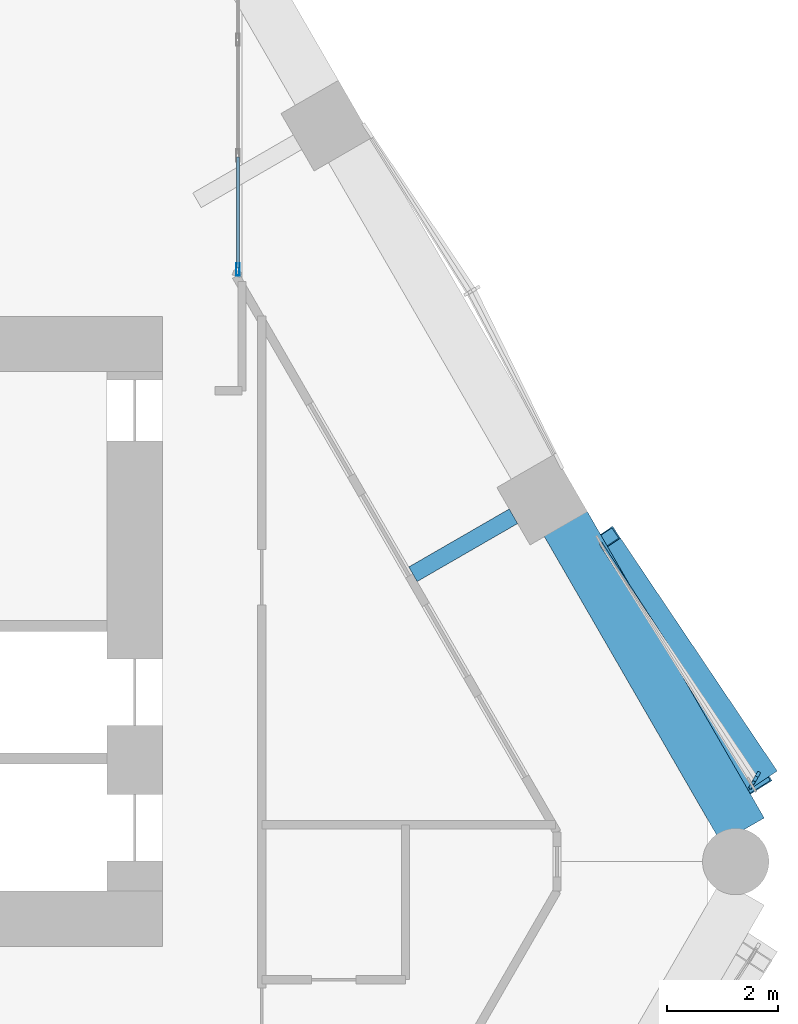
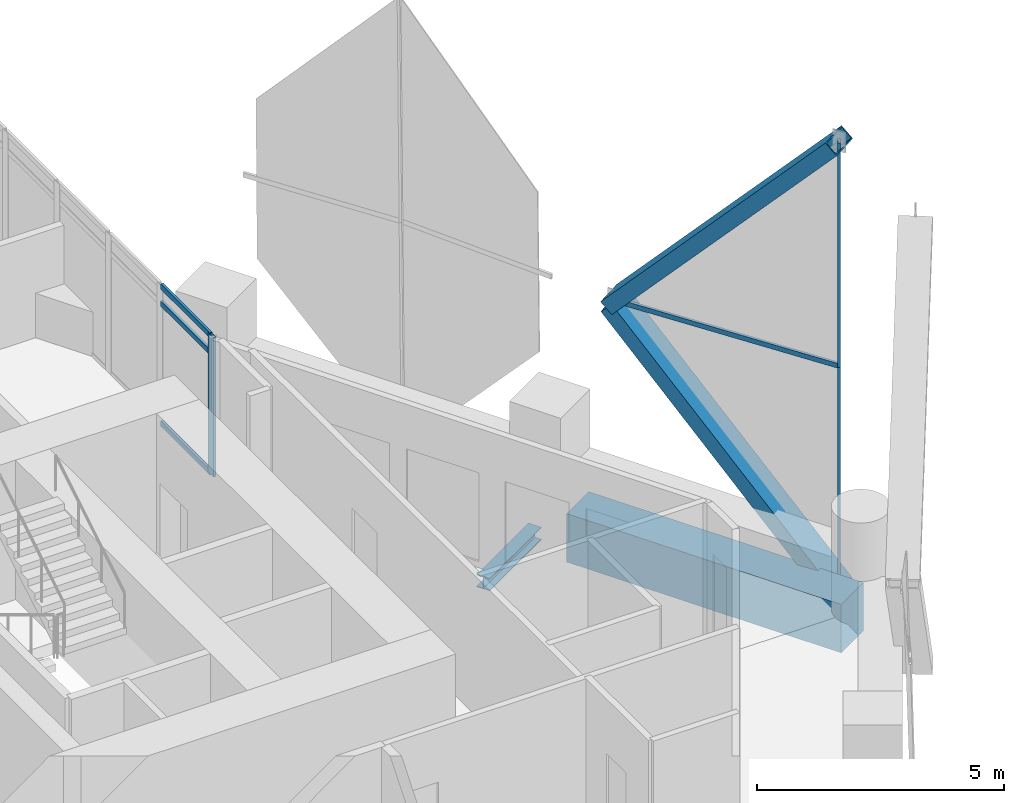
# One storey, part 23 of 38: 9 members, 2 beams, 3 elements without a shape of their own.
"""IFC4 building model written with IfcOpenShell, lengths in metres."""

from ifc_helpers import new_model, si_unit, direction, frame, origin, origin_2d, place, context, subcontext, project, spatial, rectangle, hollow_rectangle, i_section, extrude, material, material_profile, profile_set, type_object, element, aggregate, save


model = new_model("IFC4")

# Units and contexts
model_context = context("Model", 3, precision=1e-05, world=origin(), true_north=direction((0.0, 1.0)))
body_context = subcontext(model_context, "Body", "Model", "MODEL_VIEW")
ifc_project = project(units=[si_unit("LENGTHUNIT", "METRE"), si_unit("AREAUNIT", "SQUARE_METRE"), si_unit("VOLUMEUNIT", "CUBIC_METRE"), si_unit("PLANEANGLEUNIT", "RADIAN"), si_unit("MASSUNIT", "GRAM", prefix="KILO")], contexts=[model_context])

# Site, building, storey
site_placement = place(None, origin())
site = spatial("IfcSite", under=ifc_project, at=site_placement, CompositionType="ELEMENT")
building_placement = place(site_placement, origin())
building = spatial("IfcBuilding", under=site, at=building_placement, Name="Ostrander Bayou Hotel Tower", CompositionType="ELEMENT")
storey_placement = place(building_placement, frame((0.0, 0.0, 96.75)))
storey = spatial("IfcBuildingStorey", under=building, at=storey_placement, Name="L24", CompositionType="ELEMENT", Elevation=96.75)

# Curtain wall, members
ifc_material_1 = material(Name="Aluminium and clear glass", Category="aluminium")
curtain_wall_type_1 = type_object("IfcCurtainWallType", Name="CW-BAR glazed wall", PredefinedType="NOTDEFINED", material=ifc_material_1)
curtain_wall_1_placement = place(storey_placement, origin())
curtain_wall_1 = element("IfcCurtainWall", 1, at=curtain_wall_1_placement, inside=storey, type_object=curtain_wall_type_1, Name="CW-BAR L24:SB2N:W", PredefinedType="NOTDEFINED")
ifc_material_2 = material(Name="Aluminium", Category="aluminium")
ifc_material_profile_1 = material_profile(ifc_material_2, hollow_rectangle(XDim=0.06005859375, YDim=0.219970703125, WallThickness=0.00390625, at=origin_2d()))
ifc_profile_set_1 = profile_set([ifc_material_profile_1], Name="Aluminium")
member_type_1 = type_object("IfcMemberType", Name="CW-BR mullion 60 x 220 mm", PredefinedType="MULLION", material=ifc_profile_set_1)
member_1_placement = place(storey_placement, frame((13.3671875, 10.550048828125, 0.0), z_axis=(0.0, 0.0, 1.0), x_axis=(-1.0, 0.0, 0.0)))
member_1 = element("IfcMember", 2, at=member_1_placement, type_object=member_type_1, Name="CW-BAR mullion 1", PredefinedType="MULLION", context=body_context, shape_type="SweptSolid", body=[
    extrude(hollow_rectangle(XDim=0.06005859375, YDim=0.219970703125, WallThickness=0.00390625, at=origin_2d()), origin(), (0.0, 0.0, 1.0), 3.449951171875),
])
ifc_material_3 = material(Name="Aluminium", Category="aluminium")
ifc_material_profile_2 = material_profile(ifc_material_3, hollow_rectangle(XDim=0.06005859375, YDim=0.1298828125, WallThickness=0.00390625, at=origin_2d()))
ifc_profile_set_2 = profile_set([ifc_material_profile_2], Name="Aluminium")
member_type_2 = type_object("IfcMemberType", Name="CW-BR transom 60 x 130 mm", PredefinedType="USERDEFINED", material=ifc_profile_set_2)
member_2_placement = place(storey_placement, frame((13.3671875, 10.580078125, 0.030029296875), z_axis=(0.0, 1.0, 0.0), x_axis=(-1.0, 0.0, 0.0)))
member_2 = element("IfcMember", 3, at=member_2_placement, type_object=member_type_2, Name="CW-BAR transom 1.1", ObjectType="TRANSOM", PredefinedType="USERDEFINED", context=body_context, shape_type="SweptSolid", body=[
    extrude(hollow_rectangle(XDim=0.06005859375, YDim=0.1298828125, WallThickness=0.00390625, at=origin_2d()), origin(), (0.0, 0.0, 1.0), 2.00244140625),
])
member_3_placement = place(storey_placement, frame((13.3671875, 10.580078125, 3.0), z_axis=(0.0, 1.0, 0.0), x_axis=(-1.0, 0.0, 0.0)))
member_3 = element("IfcMember", 4, at=member_3_placement, type_object=member_type_2, Name="CW-BAR transom 1.2", ObjectType="TRANSOM", PredefinedType="USERDEFINED", context=body_context, shape_type="SweptSolid", body=[
    extrude(hollow_rectangle(XDim=0.06005859375, YDim=0.1298828125, WallThickness=0.00390625, at=origin_2d()), origin(), (0.0, 0.0, 1.0), 2.00244140625),
])
member_4_placement = place(storey_placement, frame((13.3671875, 10.580078125, 3.419921875), z_axis=(0.0, 1.0, 0.0), x_axis=(-1.0, 0.0, 0.0)))
member_4 = element("IfcMember", 5, at=member_4_placement, type_object=member_type_2, Name="CW-BAR transom 1.3", ObjectType="TRANSOM", PredefinedType="USERDEFINED", context=body_context, shape_type="SweptSolid", body=[
    extrude(hollow_rectangle(XDim=0.06005859375, YDim=0.1298828125, WallThickness=0.00390625, at=origin_2d()), origin(), (0.0, 0.0, 1.0), 2.00244140625),
])
aggregate(curtain_wall_1, [member_1, member_2, member_3, member_4])

ifc_material_4 = material(Name="Aluminium and clear glass", Category="aluminium")
curtain_wall_type_2 = type_object("IfcCurtainWallType", Name="CW-LAT lattice glazing", PredefinedType="NOTDEFINED", material=ifc_material_4)
curtain_wall_2_placement = place(storey_placement, origin())
curtain_wall_2 = element("IfcCurtainWall", 6, at=curtain_wall_2_placement, inside=storey, type_object=curtain_wall_type_2, Name="CW-LAT L24 NE 1", PredefinedType="NOTDEFINED")
ifc_material_5 = material(Name="Aluminium", Category="aluminium")
ifc_material_profile_3 = material_profile(ifc_material_5, hollow_rectangle(XDim=0.06005859375, YDim=0.159912109375, WallThickness=0.00390625, at=origin_2d()))
ifc_profile_set_3 = profile_set([ifc_material_profile_3], Name="Aluminium")
member_type_3 = type_object("IfcMemberType", Name="CW-LA mullion 60 x 160 mm", PredefinedType="MULLION", material=ifc_profile_set_3)
member_5_placement = place(storey_placement, frame((22.761962890625, 1.387939453125, -0.60009765625), z_axis=(-0.008418945283, -0.014581266058, 0.999858243973), x_axis=(0.866013897511, -0.50001992892, 0.0)))
member_5 = element("IfcMember", 7, at=member_5_placement, type_object=member_type_3, Name="CW-LAT mullion 1", PredefinedType="MULLION", context=body_context, shape_type="SweptSolid", body=[
    extrude(hollow_rectangle(XDim=0.06005859375, YDim=0.159912109375, WallThickness=0.00390625, at=origin_2d()), origin(), (0.0, 0.0, 1.0), 5.625732421875),
])
member_6_placement = place(storey_placement, frame((22.714599609375, 1.305908203125, 5.02490234375), z_axis=(-0.008375557002, -0.014537883916, 0.999859240081), x_axis=(0.866486855147, -0.499199889682, 0.0)))
member_6 = element("IfcMember", 8, at=member_6_placement, type_object=member_type_3, Name="CW-LAT mullion 2", PredefinedType="MULLION", context=body_context, shape_type="SweptSolid", body=[
    extrude(hollow_rectangle(XDim=0.06005859375, YDim=0.159912109375, WallThickness=0.00390625, at=origin_2d()), origin(), (0.0, 0.0, 1.0), 5.625732421875),
])
aggregate(curtain_wall_2, [member_5, member_6])

# Curtain wall, member
curtain_wall_3_placement = place(storey_placement, origin())
curtain_wall_3 = element("IfcCurtainWall", 9, at=curtain_wall_3_placement, inside=storey, type_object=curtain_wall_type_2, Name="CW-LAT L24 NE 2", PredefinedType="NOTDEFINED")
ifc_material_6 = material(Name="Aluminium", Category="aluminium")
ifc_material_profile_4 = material_profile(ifc_material_6, hollow_rectangle(XDim=0.06005859375, YDim=0.1201171875, WallThickness=0.00390625, at=origin_2d()))
ifc_profile_set_4 = profile_set([ifc_material_profile_4], Name="Aluminium")
member_type_4 = type_object("IfcMemberType", Name="CW-LA transom 60 x 120 mm", PredefinedType="USERDEFINED", material=ifc_profile_set_4)
member_7_placement = place(storey_placement, frame((22.714599609375, 1.305908203125, 5.02490234375), z_axis=(-0.544425102286, 0.838809458698, 0.0), x_axis=(-0.838809458698, -0.544425102286, 0.0)))
member_7 = element("IfcMember", 10, at=member_7_placement, type_object=member_type_4, Name="CW-LAT transom 3", ObjectType="TRANSOM", PredefinedType="USERDEFINED", context=body_context, shape_type="SweptSolid", body=[
    extrude(hollow_rectangle(XDim=0.06005859375, YDim=0.1201171875, WallThickness=0.00390625, at=origin_2d()), origin(), (0.0, 0.0, 1.0), 5.120361328125),
])
aggregate(curtain_wall_3, [member_7])

# Beam
ifc_material_7 = material(Name="Steel ASTM A992", Category="steel")
ifc_material_profile_5 = material_profile(ifc_material_7, i_section(OverallWidth=0.3046875, OverallDepth=0.307861328125, WebThickness=0.010009765625, FlangeThickness=0.015380859375, at=origin_2d()))
ifc_profile_set_5 = profile_set([ifc_material_profile_5], Name="Steel ASTM A992")
beam_type_1 = type_object("IfcBeamType", Name="LB1 loggia bracket W12x65", PredefinedType="BEAM", material=ifc_profile_set_5)
beam_1_placement = place(storey_placement, frame((18.352783203125, 6.084716796875, -0.453857421875), z_axis=(-0.866059744384, -0.49994051562, 0.0), x_axis=(0.49994051562, -0.866059744384, 0.0)))
element("IfcBeam", 11, at=beam_1_placement, inside=storey, type_object=beam_type_1, Name="LB1 L24 NE1", PredefinedType="BEAM", context=body_context, shape_type="SweptSolid", body=[
    extrude(i_section(OverallWidth=0.3046875, OverallDepth=0.307861328125, WebThickness=0.010009765625, FlangeThickness=0.015380859375, at=origin_2d()), origin(), (0.0, 0.0, 1.0), 2.099853515625),
])

# Members
ifc_material_8 = material(Name="Steel ASTM A572 Gr 50", Category="steel")
ifc_material_profile_6 = material_profile(ifc_material_8, hollow_rectangle(XDim=0.699951171875, YDim=0.35009765625, WallThickness=0.02490234375, at=origin_2d()))
ifc_profile_set_6 = profile_set([ifc_material_profile_6], Name="Steel ASTM A572 Gr 50")
member_type_5 = type_object("IfcMemberType", Name="LT1 lattice member box 700 x 350 x 25 mm", PredefinedType="BRACE", material=ifc_profile_set_6)
member_8_placement = place(storey_placement, frame((19.927001953125, 5.600830078125, 5.02490234375), z_axis=(0.374104135202, -0.555937044183, -0.742280337157), x_axis=(0.829645990649, 0.558289826345, 0.0)))
element("IfcMember", 12, at=member_8_placement, inside=storey, type_object=member_type_5, Name="LT1 L24 NE 1", PredefinedType="BRACE", context=body_context, shape_type="SweptSolid", body=[
    extrude(hollow_rectangle(XDim=0.699951171875, YDim=0.35009765625, WallThickness=0.02490234375, at=origin_2d()), origin(), (0.0, 0.0, 1.0), 7.577880859375),
])
member_9_placement = place(storey_placement, frame((19.927001953125, 5.600830078125, 5.02490234375), z_axis=(0.358895637818, -0.573177915293, 0.73665527798), x_axis=(0.847559759321, 0.53069996644, 0.0)))
element("IfcMember", 13, at=member_9_placement, inside=storey, type_object=member_type_5, Name="LT1 L24 NE 2", PredefinedType="BRACE", context=body_context, shape_type="SweptSolid", body=[
    extrude(hollow_rectangle(XDim=0.699951171875, YDim=0.35009765625, WallThickness=0.02490234375, at=origin_2d()), origin(), (0.0, 0.0, 1.0), 7.635986328125),
])

# Beam
ifc_material_9 = material(Name="Concrete f'c 70 MPa", Category="concrete")
ifc_material_profile_7 = material_profile(ifc_material_9, rectangle(XDim=0.89990234375, YDim=1.199951171875, at=origin_2d()))
ifc_profile_set_7 = profile_set([ifc_material_profile_7], Name="Concrete f'c 70 MPa")
beam_type_2 = type_object("IfcBeamType", Name="SP2 spandrel beam 900 x 1200 mm f'c 70 MPa", PredefinedType="SPANDREL", material=ifc_profile_set_7)
beam_2_placement = place(storey_placement, frame((22.5009765625, 0.39990234375, -0.60009765625), z_axis=(-0.500011789842, 0.866018596809, 0.0), x_axis=(-0.866018596809, -0.500011789842, 0.0)))
element("IfcBeam", 14, at=beam_2_placement, inside=storey, type_object=beam_type_2, Name="SP2 L24 NE-1", PredefinedType="SPANDREL", context=body_context, shape_type="SweptSolid", body=[
    extrude(rectangle(XDim=0.89990234375, YDim=1.199951171875, at=origin_2d()), origin(), (0.0, 0.0, 1.0), 6.427490234375),
])

save(model, "model.ifc")
